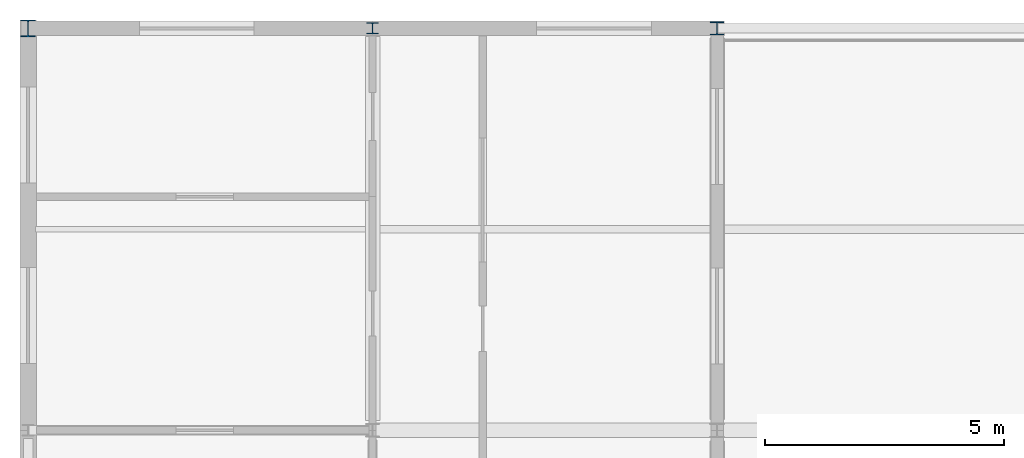
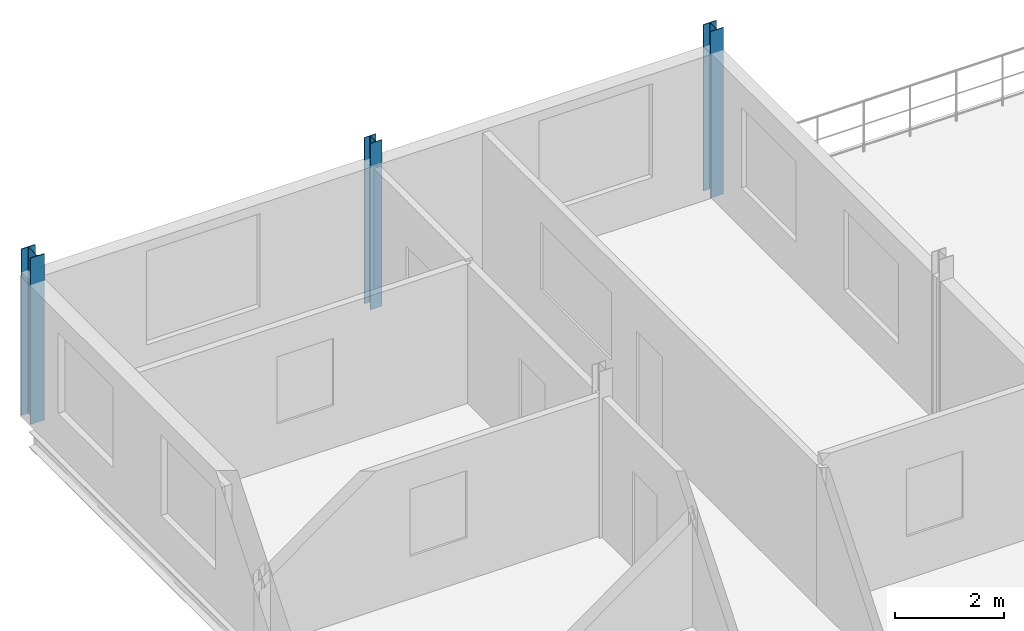
# One storey, part 4 of 14: 3 columns.
"""IFC4 building model written with IfcOpenShell, lengths in metres."""

import ifcopenshell
import ifcopenshell.guid

model = None  # the IFC model being written
_history = None  # IfcOwnerHistory: only IFC2X3 demands one
_inside = {}  # id of a spatial element -> (the spatial element, [elements in it])
_under = {}  # id of a project, library or spatial element -> (it, [spatial elements below it])
_declared = {}  # id of a project -> (the project, [libraries it declares])
_typed = {}  # id of a type object -> (the type object, [elements of that type])
_made_of = {}  # id of a material, layer set ... -> (it, [elements and type objects made of it])


def new_model(schema):
    """Start an empty IFC model of exactly this schema.

    Asked for "IFC4X3", IfcOpenShell would pick the latest addendum, in which some entities
    have other attributes; the version numbers below select the first issue.
    IFC2X3 requires an IfcOwnerHistory on every rooted entity: one is made here for all.
    """
    global model, _history
    if schema == "IFC4X3":
        model = ifcopenshell.file(schema_version=(4, 3, 0, 0))
    else:
        model = ifcopenshell.file(schema=schema)
    _inside.clear()
    _under.clear()
    _declared.clear()
    _typed.clear()
    _made_of.clear()
    _history = None
    if model.schema == "IFC2X3":
        org = make("IfcOrganization", Name="unknown")
        user = make(
            "IfcPersonAndOrganization",
            ThePerson=make("IfcPerson", FamilyName="unknown"),
            TheOrganization=org,
        )
        app = make(
            "IfcApplication",
            ApplicationDeveloper=org,
            Version="unknown",
            ApplicationFullName="unknown",
            ApplicationIdentifier="unknown",
        )
        _history = make(
            "IfcOwnerHistory",
            OwningUser=user,
            OwningApplication=app,
            ChangeAction="ADDED",
            CreationDate=0,
        )
    return model


def make(cls, **values):
    """One entity of the class cls with the attributes given. An attribute that is None is left unset."""
    return model.create_entity(
        cls, **{name: value for name, value in values.items() if value is not None}
    )


def rooted(cls, **values):
    """An entity with a GlobalId (a new one), such as an element, a storey or a relation."""
    return make(cls, GlobalId=ifcopenshell.guid.new(), OwnerHistory=_history, **values)


def si_unit(unit_type, name, prefix=None):
    """IfcSIUnit, for example si_unit("LENGTHUNIT", "METRE", prefix="MILLI")."""
    return make("IfcSIUnit", UnitType=unit_type, Prefix=prefix, Name=name)


def assignment(units):
    """IfcUnitAssignment: the units of a project."""
    return None if units is None else make("IfcUnitAssignment", Units=units)


def point(xyz):
    """IfcCartesianPoint."""
    return None if xyz is None else make("IfcCartesianPoint", Coordinates=xyz)


def direction(xyz):
    """IfcDirection."""
    return None if xyz is None else make("IfcDirection", DirectionRatios=xyz)


def frame(location, z_axis=None, x_axis=None):
    """IfcAxis2Placement3D, a coordinate frame: its origin and axes. An axis left out is left unset."""
    return make(
        "IfcAxis2Placement3D",
        Location=point(location),
        Axis=direction(z_axis),
        RefDirection=direction(x_axis),
    )


def frame_2d(location, x_axis=None):
    """IfcAxis2Placement2D, a coordinate frame in the plane: its origin and x axis."""
    return make(
        "IfcAxis2Placement2D", Location=point(location), RefDirection=direction(x_axis)
    )


def origin():
    """The frame at (0, 0, 0) with its axes left unset."""
    return frame((0.0, 0.0, 0.0))


def origin_2d():
    """The frame at (0, 0) in the plane with its x axis left unset."""
    return frame_2d((0.0, 0.0))


def place(relative_to, where):
    """IfcLocalPlacement: puts the frame where relative to a parent placement (None: the world)."""
    return make(
        "IfcLocalPlacement", PlacementRelTo=relative_to, RelativePlacement=where
    )


def context(
    kind, dimensions, precision=None, world=None, true_north=None, identifier=None
):
    """IfcGeometricRepresentationContext, for example the 3D "Model" context."""
    return make(
        "IfcGeometricRepresentationContext",
        ContextIdentifier=identifier,
        ContextType=kind,
        CoordinateSpaceDimension=dimensions,
        Precision=precision,
        WorldCoordinateSystem=world,
        TrueNorth=true_north,
    )


def subcontext(parent, identifier, kind, view, scale=None):
    """IfcGeometricRepresentationSubContext, for example "Body" below "Model"."""
    return make(
        "IfcGeometricRepresentationSubContext",
        ContextIdentifier=identifier,
        ContextType=kind,
        ParentContext=parent,
        TargetScale=scale,
        TargetView=view,
    )


def project(units=None, contexts=None):
    """IfcProject with its units and contexts."""
    return rooted(
        "IfcProject",
        Name="project",
        RepresentationContexts=contexts,
        UnitsInContext=assignment(units),
    )


def spatial(cls, under=None, at=None, **own):
    """A site, building, storey or space (cls), placed at a placement, below another one or the project."""
    s = rooted(cls, ObjectPlacement=at, **own)
    if under is not None:
        _under.setdefault(under.id(), (under, []))[1].append(s)
    return s


def profile(cls, at=None, kind="AREA", **sizes):
    """A parametric profile (cls). Its sizes go by their IFC names, for example OverallWidth=200.0."""
    return make(cls, ProfileType=kind, Position=at, **sizes)


def i_section(**sizes):
    """IfcIShapeProfileDef."""
    return profile("IfcIShapeProfileDef", **sizes)


def extrude(swept, where, along, depth):
    """IfcExtrudedAreaSolid: the profile swept, set in the frame where, extruded along a direction by depth."""
    return make(
        "IfcExtrudedAreaSolid",
        SweptArea=swept,
        Position=where,
        ExtrudedDirection=direction(along),
        Depth=depth,
    )


def shape(context_of_items, identifier, shape_type, items):
    """IfcShapeRepresentation: the items that make up one representation, for example the "Body"."""
    return make(
        "IfcShapeRepresentation",
        ContextOfItems=context_of_items,
        RepresentationIdentifier=identifier,
        RepresentationType=shape_type,
        Items=items,
    )


def material(Name=None, Category=None):
    """IfcMaterial."""
    return make("IfcMaterial", Name=Name, Category=Category)


def material_profile(
    of_material, cross_section, Name=None, Category=None, Priority=None
):
    """IfcMaterialProfile: a cross section and its material."""
    return make(
        "IfcMaterialProfile",
        Name=Name,
        Material=of_material,
        Profile=cross_section,
        Priority=Priority,
        Category=Category,
    )


def profile_set(profiles, Name=None, composite=None):
    """IfcMaterialProfileSet."""
    return make(
        "IfcMaterialProfileSet",
        Name=Name,
        MaterialProfiles=profiles,
        CompositeProfile=composite,
    )


def made_of(thing, what):
    """Note that an element or type object is made of a material, layer set ...; save() writes the relation."""
    if what is not None:
        _made_of.setdefault(what.id(), (what, []))[1].append(thing)
    return thing


def type_object(cls, material=None, **own):
    """A type object (cls), such as IfcWallType, which elements share."""
    return made_of(rooted(cls, **own), material)


def element(
    cls,
    number,
    at=None,
    inside=None,
    cuts=None,
    type_object=None,
    material=None,
    context=None,
    identifier="Body",
    shape_type=None,
    held_by="IfcProductDefinitionShape",
    body=None,
    shapes=None,
    **own,
):
    """One element of the class cls, such as IfcWall. Its Tag is "e" and its number.

    at: its placement. inside: the storey or other place that contains it. cuts: it is an
    opening in that element (IfcRelVoidsElement). A single representation is given by context,
    identifier, shape_type and body (its items); several are given by shapes. held_by: the class
    of the entity that holds the representations. save() writes the other relations.
    """
    e = rooted(cls, Tag="e%d" % number, ObjectPlacement=at, **own)
    if body is not None:
        shapes = [shape(context, identifier, shape_type, body)]
    if shapes is not None:
        e.Representation = make(held_by, Representations=shapes)
    if inside is not None:
        _inside.setdefault(inside.id(), (inside, []))[1].append(e)
    if cuts is not None:
        rooted(
            "IfcRelVoidsElement", RelatingBuildingElement=cuts, RelatedOpeningElement=e
        )
    if type_object is not None:
        _typed.setdefault(type_object.id(), (type_object, []))[1].append(e)
    return made_of(e, material)


def aggregate(whole, parts):
    """IfcRelAggregates: a whole, such as a stair, and the parts it consists of."""
    return rooted("IfcRelAggregates", RelatingObject=whole, RelatedObjects=parts)


def save(model, path):
    """Write the relations noted so far, then the file.

    IfcRelAggregates (storeys below a building ...), IfcRelContainedInSpatialStructure (elements
    in a storey), IfcRelDefinesByType, IfcRelAssociatesMaterial and IfcRelDeclares: one each for
    every whole, place, type object, material and project.
    """
    for whole, parts in _under.values():
        aggregate(whole, parts)
    for where, things in _inside.values():
        rooted(
            "IfcRelContainedInSpatialStructure",
            RelatedElements=things,
            RelatingStructure=where,
        )
    for kind, things in _typed.values():
        rooted("IfcRelDefinesByType", RelatedObjects=things, RelatingType=kind)
    for what, things in _made_of.values():
        rooted("IfcRelAssociatesMaterial", RelatedObjects=things, RelatingMaterial=what)
    for by, libraries in _declared.values():
        rooted("IfcRelDeclares", RelatingContext=by, RelatedDefinitions=libraries)
    model.write(path)


model = new_model("IFC4")

# Units and contexts
model_context = context("Model", 3, precision=1e-05, world=origin(), true_north=direction((0.0, 1.0)))
body_context = subcontext(model_context, "Body", "Model", "MODEL_VIEW")
ifc_project = project(units=[si_unit("LENGTHUNIT", "METRE"), si_unit("AREAUNIT", "SQUARE_METRE"), si_unit("VOLUMEUNIT", "CUBIC_METRE"), si_unit("PLANEANGLEUNIT", "RADIAN"), si_unit("MASSUNIT", "GRAM", prefix="KILO")], contexts=[model_context])

# Site, building, storey
site_placement = place(None, origin())
site = spatial("IfcSite", under=ifc_project, at=site_placement, CompositionType="ELEMENT")
building_placement = place(site_placement, origin())
building = spatial("IfcBuilding", under=site, at=building_placement, Name="Vinh Khe Railworks Police Headquarters", CompositionType="ELEMENT")
storey_placement = place(building_placement, frame((0.0, 0.0, 32.699951171875)))
storey = spatial("IfcBuildingStorey", under=building, at=storey_placement, Name="L08", CompositionType="ELEMENT", Elevation=32.699951171875)

# Columns
ifc_material = material(Name="Steel S355JR", Category="steel")
ifc_material_profile_1 = material_profile(ifc_material, i_section(OverallWidth=0.239990234375, OverallDepth=0.22998046875, WebThickness=0.007568359375, FlangeThickness=0.011962890625, FilletRadius=0.02099609375, at=origin_2d()), Name="HEA 240")
ifc_profile_set_1 = profile_set([ifc_material_profile_1], Name="Steel S355JR")
column_type_1 = type_object("IfcColumnType", Name="Steel Column HEA 240", PredefinedType="COLUMN", material=ifc_profile_set_1)
column_1_placement = place(storey_placement, frame((7.800048828125, 104.39990234375, 0.0), z_axis=(0.0, 0.0, 1.0), x_axis=(1.0, 0.0, 0.0)))
element("IfcColumn", 1, at=column_1_placement, inside=storey, type_object=column_type_1, Name="Column COL-L08-SC-20-0313", PredefinedType="COLUMN", context=body_context, shape_type="SweptSolid", body=[
    extrude(i_section(OverallWidth=0.239990234375, OverallDepth=0.22998046875, WebThickness=0.007568359375, FlangeThickness=0.011962890625, FilletRadius=0.02099609375, at=origin_2d()), origin(), (0.0, 0.0, 1.0), 3.719970703125),
])
ifc_material_profile_2 = material_profile(ifc_material, i_section(OverallWidth=0.280029296875, OverallDepth=0.27001953125, WebThickness=0.008056640625, FlangeThickness=0.012939453125, FilletRadius=0.02392578125, at=origin_2d()), Name="HEA 280")
ifc_profile_set_2 = profile_set([ifc_material_profile_2], Name="Steel S355JR")
column_type_2 = type_object("IfcColumnType", Name="Steel Column HEA 280", PredefinedType="COLUMN", material=ifc_profile_set_2)
column_2_placement = place(storey_placement, frame((15.0, 104.39990234375, 0.0), z_axis=(0.0, 0.0, 1.0), x_axis=(1.0, 0.0, 0.0)))
element("IfcColumn", 2, at=column_2_placement, inside=storey, type_object=column_type_2, Name="Column COL-L08-SC-19-0480", PredefinedType="COLUMN", context=body_context, shape_type="SweptSolid", body=[
    extrude(i_section(OverallWidth=0.280029296875, OverallDepth=0.27001953125, WebThickness=0.008056640625, FlangeThickness=0.012939453125, FilletRadius=0.02392578125, at=origin_2d()), origin(), (0.0, 0.0, 1.0), 3.719970703125),
])
ifc_material_profile_3 = material_profile(ifc_material, i_section(OverallWidth=0.300048828125, OverallDepth=0.35009765625, WebThickness=0.010009765625, FlangeThickness=0.017578125, FilletRadius=0.027099609375, at=origin_2d()), Name="HEA 360")
ifc_profile_set_3 = profile_set([ifc_material_profile_3], Name="Steel S355JR")
column_type_3 = type_object("IfcColumnType", Name="Steel Column HEA 360", PredefinedType="COLUMN", material=ifc_profile_set_3)
column_3_placement = place(storey_placement, frame((0.60009765625, 104.39990234375, 0.0), z_axis=(0.0, 0.0, 1.0), x_axis=(1.0, 0.0, 0.0)))
element("IfcColumn", 3, at=column_3_placement, inside=storey, type_object=column_type_3, Name="Column COL-L08-SC-16-0146", PredefinedType="COLUMN", context=body_context, shape_type="SweptSolid", body=[
    extrude(i_section(OverallWidth=0.300048828125, OverallDepth=0.35009765625, WebThickness=0.010009765625, FlangeThickness=0.017578125, FilletRadius=0.027099609375, at=origin_2d()), origin(), (0.0, 0.0, 1.0), 3.719970703125),
])

save(model, "model.ifc")
